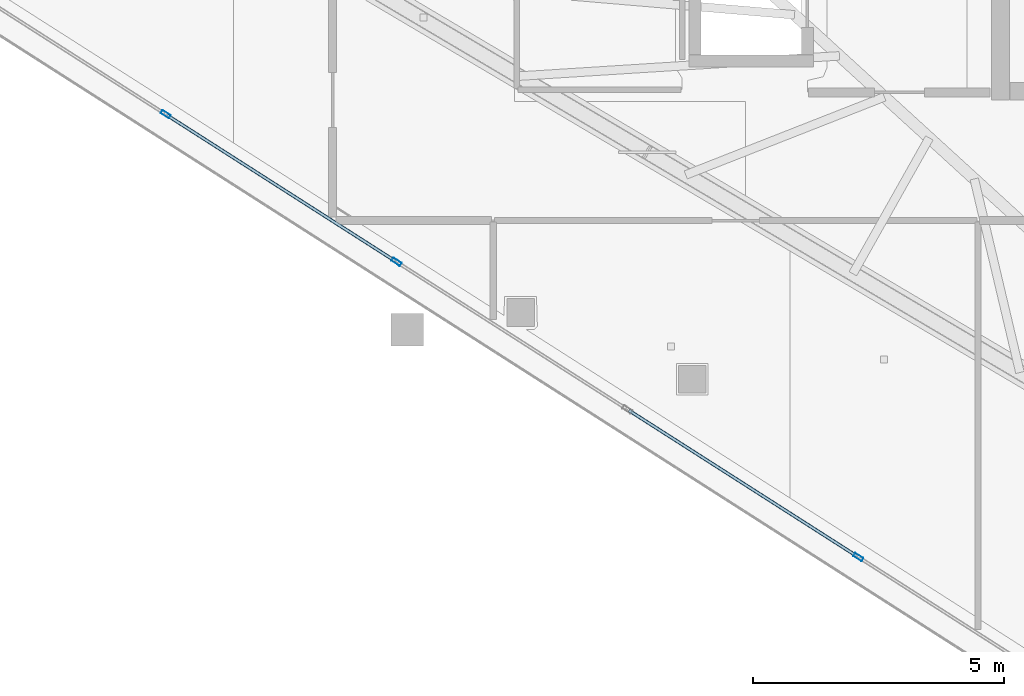
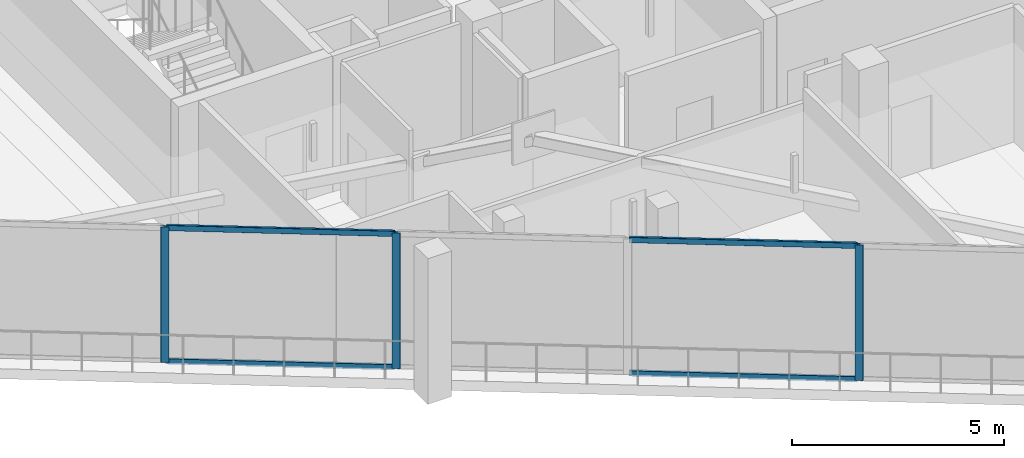
# One storey, part 2 of 30: 7 members, 1 element without a shape of its own.
"""IFC4 building model written with IfcOpenShell, lengths in metres."""

from ifc_helpers import new_model, si_unit, direction, frame, origin, origin_2d, place, context, subcontext, project, spatial, hollow_rectangle, extrude, material, layer, layer_set, material_profile, profile_set, type_object, element, aggregate, save


model = new_model("IFC4")

# Units and contexts
model_context = context("Model", 3, precision=1e-05, world=origin(), true_north=direction((0.0, 1.0)))
body_context = subcontext(model_context, "Body", "Model", "MODEL_VIEW")
ifc_project = project(units=[si_unit("LENGTHUNIT", "METRE"), si_unit("AREAUNIT", "SQUARE_METRE"), si_unit("VOLUMEUNIT", "CUBIC_METRE"), si_unit("PLANEANGLEUNIT", "RADIAN"), si_unit("MASSUNIT", "GRAM", prefix="KILO")], contexts=[model_context])

# Site, building, storey
site_placement = place(None, origin())
site = spatial("IfcSite", under=ifc_project, at=site_placement, CompositionType="ELEMENT")
building_placement = place(site_placement, origin())
building = spatial("IfcBuilding", under=site, at=building_placement, Name="Qorvath Tower", CompositionType="ELEMENT")
storey_placement = place(building_placement, frame((0.0, 0.0, 289.199951171875)))
storey = spatial("IfcBuildingStorey", under=building, at=storey_placement, Name="L67", CompositionType="ELEMENT", Elevation=289.199951171875)

# Curtain wall, members
ifc_material_1 = material(Name="Anodised aluminium and triple low-E glass", Category="aluminium")
ifc_layer = layer(ifc_material_1, 0.179931640625)
ifc_layer_set = layer_set([ifc_layer], Name="CW-SYS-5")
curtain_wall_type = type_object("IfcCurtainWallType", Name="CW-SYS-5", PredefinedType="NOTDEFINED", material=ifc_layer_set)
curtain_wall_placement = place(storey_placement, origin())
curtain_wall = element("IfcCurtainWall", 1, at=curtain_wall_placement, inside=storey, type_object=curtain_wall_type, Name="Curtain Wall CW-5 CW-T-L67-2.1", PredefinedType="NOTDEFINED")
ifc_material_2 = material(Name="Anodised aluminium 6063-T6", Category="aluminium")
ifc_material_profile_1 = material_profile(ifc_material_2, hollow_rectangle(XDim=0.074951171875, YDim=0.199951171875, WallThickness=0.00390625, InnerFilletRadius=0.00390625, OuterFilletRadius=0.008056640625, at=origin_2d()), Name="CWM 200x75")
ifc_profile_set_1 = profile_set([ifc_material_profile_1], Name="Anodised aluminium 6063-T6")
member_type_1 = type_object("IfcMemberType", Name="CWM-200", PredefinedType="MULLION", material=ifc_profile_set_1)
member_1_placement = place(storey_placement, frame((-41.18896484375, -8.8369140625, 0.0), z_axis=(0.0, 0.0, 1.0), x_axis=(0.538536873294, 0.842601944042, 0.0)))
member_1 = element("IfcMember", 2, at=member_1_placement, type_object=member_type_1, Name="CW-5 mullion 3", PredefinedType="MULLION", context=body_context, shape_type="SweptSolid", body=[
    extrude(hollow_rectangle(XDim=0.074951171875, YDim=0.199951171875, WallThickness=0.00390625, InnerFilletRadius=0.00390625, OuterFilletRadius=0.008056640625, at=origin_2d()), origin(), (0.0, 0.0, 1.0), 3.91015625),
])
member_2_placement = place(storey_placement, frame((-36.580322265625, -11.782470703125, 0.0), z_axis=(0.0, 0.0, 1.0), x_axis=(0.538536873294, 0.842601944042, 0.0)))
member_2 = element("IfcMember", 3, at=member_2_placement, type_object=member_type_1, Name="CW-5 mullion 4", PredefinedType="MULLION", context=body_context, shape_type="SweptSolid", body=[
    extrude(hollow_rectangle(XDim=0.074951171875, YDim=0.199951171875, WallThickness=0.00390625, InnerFilletRadius=0.00390625, OuterFilletRadius=0.008056640625, at=origin_2d()), origin(), (0.0, 0.0, 1.0), 3.91015625),
])
member_3_placement = place(storey_placement, frame((-27.362548828125, -17.673828125, 0.0), z_axis=(0.0, 0.0, 1.0), x_axis=(0.538536873294, 0.842601944042, 0.0)))
member_3 = element("IfcMember", 4, at=member_3_placement, type_object=member_type_1, Name="CW-5 mullion 6", PredefinedType="MULLION", context=body_context, shape_type="SweptSolid", body=[
    extrude(hollow_rectangle(XDim=0.074951171875, YDim=0.199951171875, WallThickness=0.00390625, InnerFilletRadius=0.00390625, OuterFilletRadius=0.008056640625, at=origin_2d()), origin(), (0.0, 0.0, 1.0), 3.91015625),
])
ifc_material_3 = material(Name="Anodised aluminium 6063-T6", Category="aluminium")
ifc_material_profile_2 = material_profile(ifc_material_3, hollow_rectangle(XDim=0.06494140625, YDim=0.159912109375, WallThickness=0.00341796875, InnerFilletRadius=0.00341796875, OuterFilletRadius=0.007080078125, at=origin_2d()), Name="CWT 160x65")
ifc_profile_set_2 = profile_set([ifc_material_profile_2], Name="Anodised aluminium 6063-T6")
member_type_2 = type_object("IfcMemberType", Name="CWT-160", PredefinedType="USERDEFINED", material=ifc_profile_set_2)
member_4_placement = place(storey_placement, frame((-41.157470703125, -8.857177734375, 0.032470703125), z_axis=(0.842603282272, -0.538534779475, 0.0), x_axis=(0.538534779475, 0.842603282272, 0.0)))
member_4 = element("IfcMember", 5, at=member_4_placement, type_object=member_type_2, Name="CW-5 transom 3.1", ObjectType="TRANSOM", PredefinedType="USERDEFINED", context=body_context, shape_type="SweptSolid", body=[
    extrude(hollow_rectangle(XDim=0.06494140625, YDim=0.159912109375, WallThickness=0.00341796875, InnerFilletRadius=0.00341796875, OuterFilletRadius=0.007080078125, at=origin_2d()), origin(), (0.0, 0.0, 1.0), 5.394775390625),
])
member_5_placement = place(storey_placement, frame((-41.157470703125, -8.857177734375, 3.877685546875), z_axis=(0.842603282272, -0.538534779475, 0.0), x_axis=(0.538534779475, 0.842603282272, 0.0)))
member_5 = element("IfcMember", 6, at=member_5_placement, type_object=member_type_2, Name="CW-5 transom 3.2", ObjectType="TRANSOM", PredefinedType="USERDEFINED", context=body_context, shape_type="SweptSolid", body=[
    extrude(hollow_rectangle(XDim=0.06494140625, YDim=0.159912109375, WallThickness=0.00341796875, InnerFilletRadius=0.00341796875, OuterFilletRadius=0.007080078125, at=origin_2d()), origin(), (0.0, 0.0, 1.0), 5.394775390625),
])
member_6_placement = place(storey_placement, frame((-31.93994140625, -14.74853515625, 0.032470703125), z_axis=(0.842603282272, -0.538534779475, 0.0), x_axis=(0.538534779475, 0.842603282272, 0.0)))
member_6 = element("IfcMember", 7, at=member_6_placement, type_object=member_type_2, Name="CW-5 transom 5.1", ObjectType="TRANSOM", PredefinedType="USERDEFINED", context=body_context, shape_type="SweptSolid", body=[
    extrude(hollow_rectangle(XDim=0.06494140625, YDim=0.159912109375, WallThickness=0.00341796875, InnerFilletRadius=0.00341796875, OuterFilletRadius=0.007080078125, at=origin_2d()), origin(), (0.0, 0.0, 1.0), 5.394775390625),
])
member_7_placement = place(storey_placement, frame((-31.93994140625, -14.74853515625, 3.877685546875), z_axis=(0.842603282272, -0.538534779475, 0.0), x_axis=(0.538534779475, 0.842603282272, 0.0)))
member_7 = element("IfcMember", 8, at=member_7_placement, type_object=member_type_2, Name="CW-5 transom 5.2", ObjectType="TRANSOM", PredefinedType="USERDEFINED", context=body_context, shape_type="SweptSolid", body=[
    extrude(hollow_rectangle(XDim=0.06494140625, YDim=0.159912109375, WallThickness=0.00341796875, InnerFilletRadius=0.00341796875, OuterFilletRadius=0.007080078125, at=origin_2d()), origin(), (0.0, 0.0, 1.0), 5.394775390625),
])
aggregate(curtain_wall, [member_1, member_2, member_3, member_4, member_5, member_6, member_7])

save(model, "model.ifc")
